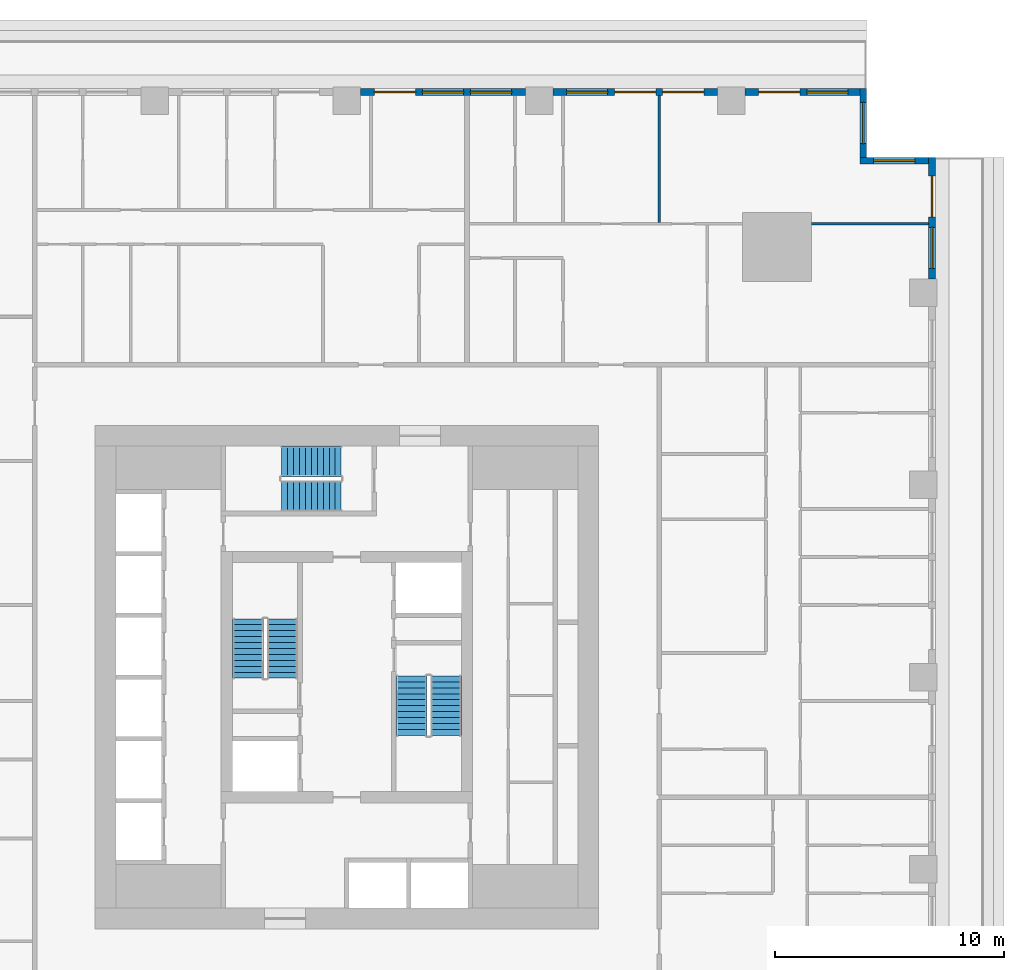
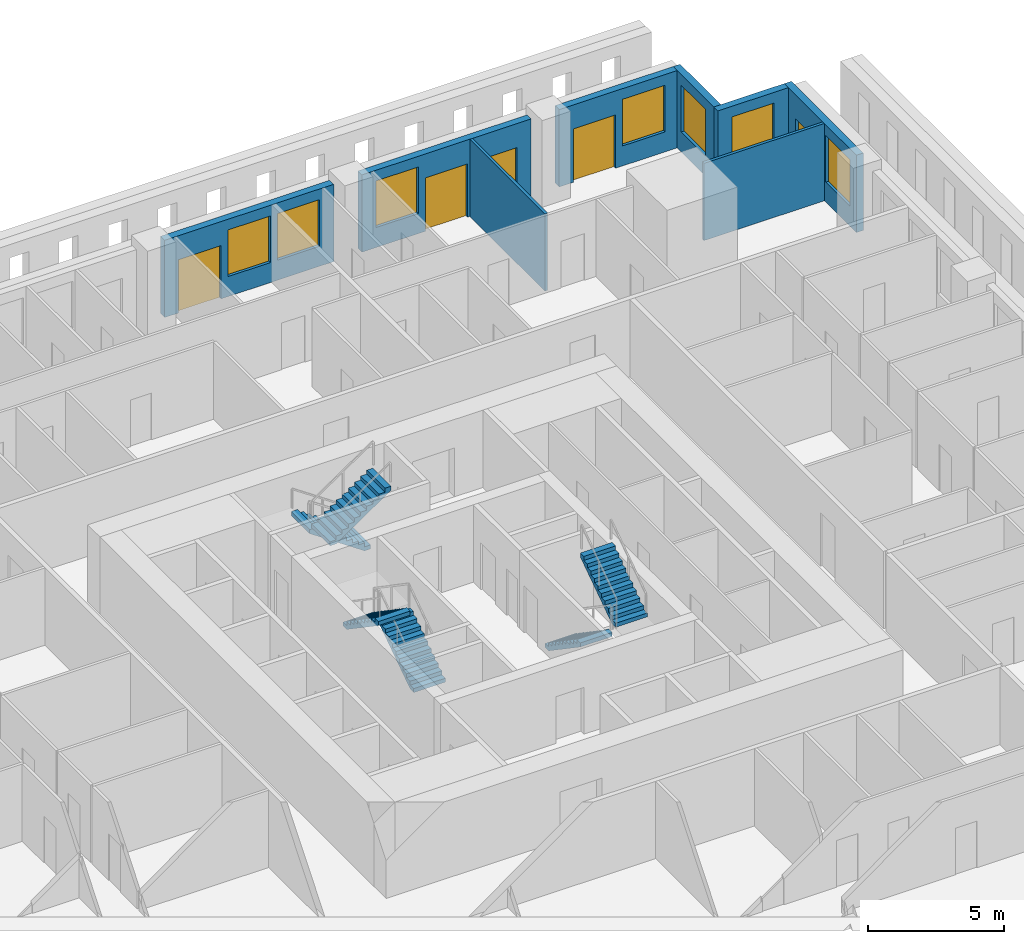
# One storey, part 10 of 15: 8 walls, 7 windows, 6 stair flights, 5 doors, 12 openings, 3 elements without a shape of their own.
"""IFC4 building model written with IfcOpenShell, lengths in metres."""

from ifc_helpers import new_model, si_unit, direction, frame, frame_2d, origin, place, context, subcontext, project, spatial, polyline, rectangle, outline, extrude, material, layer, layer_set, type_object, element, fill, aggregate, save


model = new_model("IFC4")

# Units and contexts
model_context = context("Model", 3, precision=1e-05, world=origin(), true_north=direction((0.0, 1.0)))
body_context = subcontext(model_context, "Body", "Model", "MODEL_VIEW")
ifc_project = project(units=[si_unit("LENGTHUNIT", "METRE"), si_unit("AREAUNIT", "SQUARE_METRE"), si_unit("VOLUMEUNIT", "CUBIC_METRE"), si_unit("PLANEANGLEUNIT", "RADIAN"), si_unit("MASSUNIT", "GRAM", prefix="KILO")], contexts=[model_context])

# Site, building, storey
site_placement = place(None, origin())
site = spatial("IfcSite", under=ifc_project, at=site_placement, CompositionType="ELEMENT")
building_placement = place(site_placement, origin())
building = spatial("IfcBuilding", under=site, at=building_placement, Name="Khepri Terraces", CompositionType="ELEMENT")
storey_placement = place(building_placement, frame((0.0, 0.0, 30.89990234375)))
storey = spatial("IfcBuildingStorey", under=building, at=storey_placement, Name="L06", CompositionType="ELEMENT", Elevation=30.89990234375)

# Wall, openings, door, window
ifc_material_1 = material(Name="Precast concrete C50/60 warm stone", Category="masonry")
ifc_layer_1 = layer(ifc_material_1, 0.300048828125, Name="Precast concrete C50/60 warm stone", Category="masonry")
ifc_layer_set_1 = layer_set([ifc_layer_1], Name="Precast concrete C50/60 warm stone")
wall_type_1 = type_object("IfcWallType", Name="WL-EXT-PRECAST-300", PredefinedType="STANDARD", material=ifc_layer_set_1)
wall_1_placement = place(storey_placement, frame((25.570068359375, 17.39990234375, 0.0), z_axis=(0.0, 0.0, 1.0), x_axis=(0.0, 1.0, 0.0)))
wall_1 = element("IfcWall", 1, at=wall_1_placement, inside=storey, type_object=wall_type_1, Name="External wall L06 E", PredefinedType="STANDARD", context=body_context, shape_type="SweptSolid", body=[
    extrude(rectangle(XDim=5.320068359375, YDim=0.300048828125, at=frame_2d((2.66015625, 0.0))), origin(), (0.0, 0.0, 1.0), 3.47998046875),
])
opening_1_placement = place(wall_1_placement, frame((2.699951171875, 0.0, 0.0)))
opening_1 = element("IfcOpeningElement", 2, at=opening_1_placement, cuts=wall_1, Name="Opening ED-L06-06", PredefinedType="OPENING", context=body_context, shape_type="SweptSolid", body=[
    extrude(rectangle(XDim=1.800048828125, YDim=2.39990234375, at=frame_2d((0.89990234375, 1.199951171875))), frame((0.0, 0.16015625, 0.0), z_axis=(0.0, -1.0, 0.0), x_axis=(1.0, 0.0, 0.0)), (0.0, 0.0, 1.0), 0.320068359375),
])
opening_2_placement = place(wall_1_placement, frame((0.4599609375, 0.0, 0.89990234375)))
opening_2 = element("IfcOpeningElement", 3, at=opening_2_placement, cuts=wall_1, Name="Opening W1", PredefinedType="OPENING", context=body_context, shape_type="SweptSolid", body=[
    extrude(rectangle(XDim=1.800048828125, YDim=2.10009765625, at=frame_2d((0.89990234375, 1.050048828125))), frame((0.0, 0.16015625, 0.0), z_axis=(0.0, -1.0, 0.0), x_axis=(1.0, 0.0, 0.0)), (0.0, 0.0, 1.0), 0.320068359375),
])
ifc_material_2 = material(Name="Anodised aluminium bronze glazed door", Category="aluminium")
door_type = type_object("IfcDoorType", Name="DR-BAL-SLIDE-1800x2400", OperationType="NOTDEFINED", PredefinedType="DOOR", material=ifc_material_2)
door_1_placement = place(opening_1_placement, origin())
door_1 = element("IfcDoor", 4, at=door_1_placement, inside=storey, type_object=door_type, Name="Balcony door L06 E", OperationType="SLIDING_TO_LEFT", OverallHeight=2.39990234375, OverallWidth=1.800048828125, PredefinedType="DOOR", context=body_context, shape_type="SweptSolid", body=[
    extrude(rectangle(XDim=1.800048828125, YDim=2.39990234375, at=frame_2d((0.89990234375, 1.199951171875))), frame((0.0, 0.02490234375, 0.0), z_axis=(0.0, -1.0, 0.0), x_axis=(1.0, 0.0, 0.0)), (0.0, 0.0, 1.0), 0.050048828125),
])
fill(opening_1, door_1)
ifc_material_3 = material(Name="Clear glass", Category="glass")
window_type = type_object("IfcWindowType", Name="WIN-RES-1800x2100", PartitioningType="SINGLE_PANEL", PredefinedType="WINDOW", material=ifc_material_3)
window_1_placement = place(opening_2_placement, origin())
window_1 = element("IfcWindow", 5, at=window_1_placement, inside=storey, type_object=window_type, Name="Window L06 E", OverallHeight=2.10009765625, OverallWidth=1.800048828125, PartitioningType="SINGLE_PANEL", PredefinedType="WINDOW", context=body_context, shape_type="SweptSolid", body=[
    extrude(rectangle(XDim=1.800048828125, YDim=2.10009765625, at=frame_2d((0.89990234375, 1.050048828125))), frame((0.0, 0.030029296875, 0.0), z_axis=(0.0, -1.0, 0.0), x_axis=(1.0, 0.0, 0.0)), (0.0, 0.0, 1.0), 0.06005859375),
])
fill(opening_2, window_1)

# Wall, opening, window
wall_2_placement = place(storey_placement, frame((25.419921875, 22.570068359375, 0.0), z_axis=(0.0, 0.0, 1.0), x_axis=(-1.0, 0.0, 0.0)))
wall_2 = element("IfcWall", 6, at=wall_2_placement, inside=storey, type_object=wall_type_1, Name="External wall L06 N", PredefinedType="STANDARD", context=body_context, shape_type="SweptSolid", body=[
    extrude(rectangle(XDim=3.0, YDim=0.300048828125, at=frame_2d((1.5, 0.0))), origin(), (0.0, 0.0, 1.0), 3.47998046875),
])
opening_3_placement = place(wall_2_placement, frame((0.60009765625, 0.0, 0.89990234375)))
opening_3 = element("IfcOpeningElement", 7, at=opening_3_placement, cuts=wall_2, Name="Opening W1", PredefinedType="OPENING", context=body_context, shape_type="SweptSolid", body=[
    extrude(rectangle(XDim=1.800048828125, YDim=2.10009765625, at=frame_2d((0.89990234375, 1.050048828125))), frame((0.0, 0.16015625, 0.0), z_axis=(0.0, -1.0, 0.0), x_axis=(1.0, 0.0, 0.0)), (0.0, 0.0, 1.0), 0.320068359375),
])
window_2_placement = place(opening_3_placement, origin())
window_2 = element("IfcWindow", 8, at=window_2_placement, inside=storey, type_object=window_type, Name="Window L06 N", OverallHeight=2.10009765625, OverallWidth=1.800048828125, PartitioningType="SINGLE_PANEL", PredefinedType="WINDOW", context=body_context, shape_type="SweptSolid", body=[
    extrude(rectangle(XDim=1.800048828125, YDim=2.10009765625, at=frame_2d((0.89990234375, 1.050048828125))), frame((0.0, 0.030029296875, 0.0), z_axis=(0.0, -1.0, 0.0), x_axis=(1.0, 0.0, 0.0)), (0.0, 0.0, 1.0), 0.06005859375),
])
fill(opening_3, window_2)

wall_3_placement = place(storey_placement, frame((22.570068359375, 22.719970703125, 0.0), z_axis=(0.0, 0.0, 1.0), x_axis=(0.0, 1.0, 0.0)))
wall_3 = element("IfcWall", 9, at=wall_3_placement, inside=storey, type_object=wall_type_1, Name="External wall L06 E", PredefinedType="STANDARD", context=body_context, shape_type="SweptSolid", body=[
    extrude(rectangle(XDim=3.0, YDim=0.300048828125, at=frame_2d((1.5, 0.0))), origin(), (0.0, 0.0, 1.0), 3.47998046875),
])
opening_4_placement = place(wall_3_placement, frame((0.60009765625, 0.0, 0.89990234375)))
opening_4 = element("IfcOpeningElement", 10, at=opening_4_placement, cuts=wall_3, Name="Opening W1", PredefinedType="OPENING", context=body_context, shape_type="SweptSolid", body=[
    extrude(rectangle(XDim=1.800048828125, YDim=2.10009765625, at=frame_2d((0.89990234375, 1.050048828125))), frame((0.0, 0.16015625, 0.0), z_axis=(0.0, -1.0, 0.0), x_axis=(1.0, 0.0, 0.0)), (0.0, 0.0, 1.0), 0.320068359375),
])
window_3_placement = place(opening_4_placement, origin())
window_3 = element("IfcWindow", 11, at=window_3_placement, inside=storey, type_object=window_type, Name="Window L06 E", OverallHeight=2.10009765625, OverallWidth=1.800048828125, PartitioningType="SINGLE_PANEL", PredefinedType="WINDOW", context=body_context, shape_type="SweptSolid", body=[
    extrude(rectangle(XDim=1.800048828125, YDim=2.10009765625, at=frame_2d((0.89990234375, 1.050048828125))), frame((0.0, 0.030029296875, 0.0), z_axis=(0.0, -1.0, 0.0), x_axis=(1.0, 0.0, 0.0)), (0.0, 0.0, 1.0), 0.06005859375),
])
fill(opening_4, window_3)

# Wall, openings, door, window
wall_4_placement = place(storey_placement, frame((22.419921875, 25.570068359375, 0.0), z_axis=(0.0, 0.0, 1.0), x_axis=(-1.0, 0.0, 0.0)))
wall_4 = element("IfcWall", 12, at=wall_4_placement, inside=storey, type_object=wall_type_1, Name="External wall L06 N", PredefinedType="STANDARD", context=body_context, shape_type="SweptSolid", body=[
    extrude(rectangle(XDim=5.02001953125, YDim=0.300048828125, at=frame_2d((2.510009765625, 0.0))), origin(), (0.0, 0.0, 1.0), 3.47998046875),
])
opening_5_placement = place(wall_4_placement, frame((0.52001953125, 0.0, 0.89990234375)))
opening_5 = element("IfcOpeningElement", 13, at=opening_5_placement, cuts=wall_4, Name="Opening W1", PredefinedType="OPENING", context=body_context, shape_type="SweptSolid", body=[
    extrude(rectangle(XDim=1.800048828125, YDim=2.10009765625, at=frame_2d((0.89990234375, 1.050048828125))), frame((0.0, 0.16015625, 0.0), z_axis=(0.0, -1.0, 0.0), x_axis=(1.0, 0.0, 0.0)), (0.0, 0.0, 1.0), 0.320068359375),
])
opening_6_placement = place(wall_4_placement, frame((2.6201171875, 0.0, 0.0)))
opening_6 = element("IfcOpeningElement", 14, at=opening_6_placement, cuts=wall_4, Name="Opening ED-L06-07", PredefinedType="OPENING", context=body_context, shape_type="SweptSolid", body=[
    extrude(rectangle(XDim=1.800048828125, YDim=2.39990234375, at=frame_2d((0.89990234375, 1.199951171875))), frame((0.0, 0.16015625, 0.0), z_axis=(0.0, -1.0, 0.0), x_axis=(1.0, 0.0, 0.0)), (0.0, 0.0, 1.0), 0.320068359375),
])
door_2_placement = place(opening_6_placement, origin())
door_2 = element("IfcDoor", 15, at=door_2_placement, inside=storey, type_object=door_type, Name="Balcony door L06 N", OperationType="SLIDING_TO_RIGHT", OverallHeight=2.39990234375, OverallWidth=1.800048828125, PredefinedType="DOOR", context=body_context, shape_type="SweptSolid", body=[
    extrude(rectangle(XDim=1.800048828125, YDim=2.39990234375, at=frame_2d((0.89990234375, 1.199951171875))), frame((0.0, 0.02490234375, 0.0), z_axis=(0.0, -1.0, 0.0), x_axis=(1.0, 0.0, 0.0)), (0.0, 0.0, 1.0), 0.050048828125),
])
fill(opening_6, door_2)
window_4_placement = place(opening_5_placement, origin())
window_4 = element("IfcWindow", 16, at=window_4_placement, inside=storey, type_object=window_type, Name="Window L06 N", OverallHeight=2.10009765625, OverallWidth=1.800048828125, PartitioningType="SINGLE_PANEL", PredefinedType="WINDOW", context=body_context, shape_type="SweptSolid", body=[
    extrude(rectangle(XDim=1.800048828125, YDim=2.10009765625, at=frame_2d((0.89990234375, 1.050048828125))), frame((0.0, 0.030029296875, 0.0), z_axis=(0.0, -1.0, 0.0), x_axis=(1.0, 0.0, 0.0)), (0.0, 0.0, 1.0), 0.06005859375),
])
fill(opening_5, window_4)

# Wall, openings, doors, window
wall_5_placement = place(storey_placement, frame((16.199951171875, 25.570068359375, 0.0), z_axis=(0.0, 0.0, 1.0), x_axis=(-1.0, 0.0, 0.0)))
wall_5 = element("IfcWall", 17, at=wall_5_placement, inside=storey, type_object=wall_type_1, Name="External wall L06 N", PredefinedType="STANDARD", context=body_context, shape_type="SweptSolid", body=[
    extrude(rectangle(XDim=7.199951171875, YDim=0.300048828125, at=frame_2d((3.60009765625, 0.0))), origin(), (0.0, 0.0, 1.0), 3.47998046875),
])
opening_7_placement = place(wall_5_placement, frame((0.60009765625, 0.0, 0.0)))
opening_7 = element("IfcOpeningElement", 18, at=opening_7_placement, cuts=wall_5, Name="Opening ED-L06-08", PredefinedType="OPENING", context=body_context, shape_type="SweptSolid", body=[
    extrude(rectangle(XDim=1.800048828125, YDim=2.39990234375, at=frame_2d((0.89990234375, 1.199951171875))), frame((0.0, 0.16015625, 0.0), z_axis=(0.0, -1.0, 0.0), x_axis=(1.0, 0.0, 0.0)), (0.0, 0.0, 1.0), 0.320068359375),
])
opening_8_placement = place(wall_5_placement, frame((2.699951171875, 0.0, 0.0)))
opening_8 = element("IfcOpeningElement", 19, at=opening_8_placement, cuts=wall_5, Name="Opening ED-L06-09", PredefinedType="OPENING", context=body_context, shape_type="SweptSolid", body=[
    extrude(rectangle(XDim=1.800048828125, YDim=2.39990234375, at=frame_2d((0.89990234375, 1.199951171875))), frame((0.0, 0.16015625, 0.0), z_axis=(0.0, -1.0, 0.0), x_axis=(1.0, 0.0, 0.0)), (0.0, 0.0, 1.0), 0.320068359375),
])
opening_9_placement = place(wall_5_placement, frame((4.800048828125, 0.0, 0.89990234375)))
opening_9 = element("IfcOpeningElement", 20, at=opening_9_placement, cuts=wall_5, Name="Opening W1", PredefinedType="OPENING", context=body_context, shape_type="SweptSolid", body=[
    extrude(rectangle(XDim=1.800048828125, YDim=2.10009765625, at=frame_2d((0.89990234375, 1.050048828125))), frame((0.0, 0.16015625, 0.0), z_axis=(0.0, -1.0, 0.0), x_axis=(1.0, 0.0, 0.0)), (0.0, 0.0, 1.0), 0.320068359375),
])
door_3_placement = place(opening_7_placement, origin())
door_3 = element("IfcDoor", 21, at=door_3_placement, inside=storey, type_object=door_type, Name="Balcony door L06 N", OperationType="SLIDING_TO_LEFT", OverallHeight=2.39990234375, OverallWidth=1.800048828125, PredefinedType="DOOR", context=body_context, shape_type="SweptSolid", body=[
    extrude(rectangle(XDim=1.800048828125, YDim=2.39990234375, at=frame_2d((0.89990234375, 1.199951171875))), frame((0.0, 0.02490234375, 0.0), z_axis=(0.0, -1.0, 0.0), x_axis=(1.0, 0.0, 0.0)), (0.0, 0.0, 1.0), 0.050048828125),
])
fill(opening_7, door_3)
door_4_placement = place(opening_8_placement, origin())
door_4 = element("IfcDoor", 22, at=door_4_placement, inside=storey, type_object=door_type, Name="Balcony door L06 N", OperationType="SLIDING_TO_RIGHT", OverallHeight=2.39990234375, OverallWidth=1.800048828125, PredefinedType="DOOR", context=body_context, shape_type="SweptSolid", body=[
    extrude(rectangle(XDim=1.800048828125, YDim=2.39990234375, at=frame_2d((0.89990234375, 1.199951171875))), frame((0.0, 0.02490234375, 0.0), z_axis=(0.0, -1.0, 0.0), x_axis=(1.0, 0.0, 0.0)), (0.0, 0.0, 1.0), 0.050048828125),
])
fill(opening_8, door_4)
window_5_placement = place(opening_9_placement, origin())
window_5 = element("IfcWindow", 23, at=window_5_placement, inside=storey, type_object=window_type, Name="Window L06 N", OverallHeight=2.10009765625, OverallWidth=1.800048828125, PartitioningType="SINGLE_PANEL", PredefinedType="WINDOW", context=body_context, shape_type="SweptSolid", body=[
    extrude(rectangle(XDim=1.800048828125, YDim=2.10009765625, at=frame_2d((0.89990234375, 1.050048828125))), frame((0.0, 0.030029296875, 0.0), z_axis=(0.0, -1.0, 0.0), x_axis=(1.0, 0.0, 0.0)), (0.0, 0.0, 1.0), 0.06005859375),
])
fill(opening_9, window_5)

# Wall, openings, door, windows
wall_6_placement = place(storey_placement, frame((7.800048828125, 25.570068359375, 0.0), z_axis=(0.0, 0.0, 1.0), x_axis=(-1.0, 0.0, 0.0)))
wall_6 = element("IfcWall", 24, at=wall_6_placement, inside=storey, type_object=wall_type_1, Name="External wall L06 N", PredefinedType="STANDARD", context=body_context, shape_type="SweptSolid", body=[
    extrude(rectangle(XDim=7.199951171875, YDim=0.300048828125, at=frame_2d((3.60009765625, 0.0))), origin(), (0.0, 0.0, 1.0), 3.47998046875),
])
opening_10_placement = place(wall_6_placement, frame((0.60009765625, 0.0, 0.89990234375)))
opening_10 = element("IfcOpeningElement", 25, at=opening_10_placement, cuts=wall_6, Name="Opening W1", PredefinedType="OPENING", context=body_context, shape_type="SweptSolid", body=[
    extrude(rectangle(XDim=1.800048828125, YDim=2.10009765625, at=frame_2d((0.89990234375, 1.050048828125))), frame((0.0, 0.16015625, 0.0), z_axis=(0.0, -1.0, 0.0), x_axis=(1.0, 0.0, 0.0)), (0.0, 0.0, 1.0), 0.320068359375),
])
opening_11_placement = place(wall_6_placement, frame((2.699951171875, 0.0, 0.89990234375)))
opening_11 = element("IfcOpeningElement", 26, at=opening_11_placement, cuts=wall_6, Name="Opening W1", PredefinedType="OPENING", context=body_context, shape_type="SweptSolid", body=[
    extrude(rectangle(XDim=1.800048828125, YDim=2.10009765625, at=frame_2d((0.89990234375, 1.050048828125))), frame((0.0, 0.16015625, 0.0), z_axis=(0.0, -1.0, 0.0), x_axis=(1.0, 0.0, 0.0)), (0.0, 0.0, 1.0), 0.320068359375),
])
opening_12_placement = place(wall_6_placement, frame((4.800048828125, 0.0, 0.0)))
opening_12 = element("IfcOpeningElement", 27, at=opening_12_placement, cuts=wall_6, Name="Opening ED-L06-10", PredefinedType="OPENING", context=body_context, shape_type="SweptSolid", body=[
    extrude(rectangle(XDim=1.800048828125, YDim=2.39990234375, at=frame_2d((0.89990234375, 1.199951171875))), frame((0.0, 0.16015625, 0.0), z_axis=(0.0, -1.0, 0.0), x_axis=(1.0, 0.0, 0.0)), (0.0, 0.0, 1.0), 0.320068359375),
])
door_5_placement = place(opening_12_placement, origin())
door_5 = element("IfcDoor", 28, at=door_5_placement, inside=storey, type_object=door_type, Name="Balcony door L06 N", OperationType="SLIDING_TO_RIGHT", OverallHeight=2.39990234375, OverallWidth=1.800048828125, PredefinedType="DOOR", context=body_context, shape_type="SweptSolid", body=[
    extrude(rectangle(XDim=1.800048828125, YDim=2.39990234375, at=frame_2d((0.89990234375, 1.199951171875))), frame((0.0, 0.02490234375, 0.0), z_axis=(0.0, -1.0, 0.0), x_axis=(1.0, 0.0, 0.0)), (0.0, 0.0, 1.0), 0.050048828125),
])
fill(opening_12, door_5)
window_6_placement = place(opening_10_placement, origin())
window_6 = element("IfcWindow", 29, at=window_6_placement, inside=storey, type_object=window_type, Name="Window L06 N", OverallHeight=2.10009765625, OverallWidth=1.800048828125, PartitioningType="SINGLE_PANEL", PredefinedType="WINDOW", context=body_context, shape_type="SweptSolid", body=[
    extrude(rectangle(XDim=1.800048828125, YDim=2.10009765625, at=frame_2d((0.89990234375, 1.050048828125))), frame((0.0, 0.030029296875, 0.0), z_axis=(0.0, -1.0, 0.0), x_axis=(1.0, 0.0, 0.0)), (0.0, 0.0, 1.0), 0.06005859375),
])
fill(opening_10, window_6)
window_7_placement = place(opening_11_placement, origin())
window_7 = element("IfcWindow", 30, at=window_7_placement, inside=storey, type_object=window_type, Name="Window L06 N", OverallHeight=2.10009765625, OverallWidth=1.800048828125, PartitioningType="SINGLE_PANEL", PredefinedType="WINDOW", context=body_context, shape_type="SweptSolid", body=[
    extrude(rectangle(XDim=1.800048828125, YDim=2.10009765625, at=frame_2d((0.89990234375, 1.050048828125))), frame((0.0, 0.030029296875, 0.0), z_axis=(0.0, -1.0, 0.0), x_axis=(1.0, 0.0, 0.0)), (0.0, 0.0, 1.0), 0.06005859375),
])
fill(opening_11, window_7)

# Walls
ifc_material_4 = material(Name="Gypsum plasterboard partition")
ifc_layer_2 = layer(ifc_material_4, 0.1201171875, Name="Gypsum plasterboard partition")
ifc_layer_set_2 = layer_set([ifc_layer_2], Name="Gypsum plasterboard partition")
wall_type_2 = type_object("IfcWallType", Name="WL-PART-120", PredefinedType="PARTITIONING", material=ifc_layer_set_2)
wall_7_placement = place(storey_placement, frame((20.300048828125, 19.820068359375, 0.0), z_axis=(0.0, 0.0, 1.0), x_axis=(1.0, 0.0, 0.0)))
element("IfcWall", 31, at=wall_7_placement, inside=storey, type_object=wall_type_2, Name="Partition P-102 L06", PredefinedType="PARTITIONING", context=body_context, shape_type="SweptSolid", body=[
    extrude(rectangle(XDim=5.119873046875, YDim=0.1201171875, at=frame_2d((2.56005859375, 0.0))), origin(), (0.0, 0.0, 1.0), 3.47998046875),
])
wall_8_placement = place(storey_placement, frame((13.64990234375, 19.8798828125, 0.0), z_axis=(0.0, 0.0, 1.0), x_axis=(0.0, 1.0, 0.0)))
element("IfcWall", 32, at=wall_8_placement, inside=storey, type_object=wall_type_2, Name="Partition P-105 L06", PredefinedType="PARTITIONING", context=body_context, shape_type="SweptSolid", body=[
    extrude(rectangle(XDim=5.5400390625, YDim=0.1201171875, at=frame_2d((2.77001953125, 0.0))), origin(), (0.0, 0.0, 1.0), 3.47998046875),
])

# Stair, stair flights
ifc_material_5 = material(Name="Concrete C40/50", Category="concrete")
stair_type = type_object("IfcStairType", Name="STAIR-RC-22R", PredefinedType="HALF_TURN_STAIR", material=ifc_material_5)
stair_1_placement = place(storey_placement, origin())
stair_1 = element("IfcStair", 33, at=stair_1_placement, inside=storey, type_object=stair_type, Name="L06 Exit Stair ST-1", PredefinedType="HALF_TURN_STAIR")
stair_flight_type = type_object("IfcStairFlightType", Name="SFL-RC-177.3", PredefinedType="STRAIGHT", material=ifc_material_5)
stair_flight_1_placement = place(storey_placement, frame((-2.824951171875, -0.050048828125, 0.0), z_axis=(0.0, 0.0, 1.0), x_axis=(0.0, 1.0, 0.0)))
stair_flight_1 = element("IfcStairFlight", 34, at=stair_flight_1_placement, type_object=stair_flight_type, Name="ST-1 flight 1", NumberOfRisers=11, NumberOfTreads=10, PredefinedType="STRAIGHT", RiserHeight=0.177272727, TreadLength=0.26, context=body_context, shape_type="SweptSolid", body=[
    extrude(outline(polyline([(0.0, 0.0), (0.0, 0.17724609375), (0.260009765625, 0.17724609375), (0.260009765625, 0.3544921875), (0.52001953125, 0.3544921875), (0.52001953125, 0.53173828125), (0.780029296875, 0.53173828125), (0.780029296875, 0.708984375), (1.0400390625, 0.708984375), (1.0400390625, 0.886474609375), (1.300048828125, 0.886474609375), (1.300048828125, 1.063720703125), (1.56005859375, 1.063720703125), (1.56005859375, 1.240966796875), (1.820068359375, 1.240966796875), (1.820068359375, 1.418212890625), (2.080078125, 1.418212890625), (2.080078125, 1.595458984375), (2.340087890625, 1.595458984375), (2.340087890625, 1.772705078125), (2.60009765625, 1.772705078125), (2.60009765625, 1.949951171875), (2.60009765625, 1.59130859375), (0.26611328125, 0.0), (0.0, 0.0)])), frame((0.0, 0.675048828125, 0.0), z_axis=(0.0, -1.0, 0.0), x_axis=(1.0, 0.0, 0.0)), (0.0, 0.0, 1.0), 1.35009765625),
])
stair_flight_2_placement = place(storey_placement, frame((-4.324951171875, 2.550048828125, 1.9501953125), z_axis=(0.0, 0.0, 1.0), x_axis=(0.0, -1.0, 0.0)))
stair_flight_2 = element("IfcStairFlight", 35, at=stair_flight_2_placement, type_object=stair_flight_type, Name="ST-1 flight 2", NumberOfRisers=11, NumberOfTreads=10, PredefinedType="STRAIGHT", RiserHeight=0.177272727, TreadLength=0.26, context=body_context, shape_type="SweptSolid", body=[
    extrude(outline(polyline([(0.0, 0.0), (0.0, 0.17724609375), (0.260009765625, 0.17724609375), (0.260009765625, 0.3544921875), (0.52001953125, 0.3544921875), (0.52001953125, 0.53173828125), (0.780029296875, 0.53173828125), (0.780029296875, 0.708984375), (1.0400390625, 0.708984375), (1.0400390625, 0.886474609375), (1.300048828125, 0.886474609375), (1.300048828125, 1.063720703125), (1.56005859375, 1.063720703125), (1.56005859375, 1.240966796875), (1.820068359375, 1.240966796875), (1.820068359375, 1.418212890625), (2.080078125, 1.418212890625), (2.080078125, 1.595458984375), (2.340087890625, 1.595458984375), (2.340087890625, 1.772705078125), (2.60009765625, 1.772705078125), (2.60009765625, 1.949951171875), (2.60009765625, 1.59130859375), (0.26611328125, 0.0), (0.0, 0.0)])), frame((0.0, 0.675048828125, 0.0), z_axis=(0.0, -1.0, 0.0), x_axis=(1.0, 0.0, 0.0)), (0.0, 0.0, 1.0), 1.35009765625),
])
aggregate(stair_1, [stair_flight_1, stair_flight_2])

stair_2_placement = place(storey_placement, origin())
stair_2 = element("IfcStair", 36, at=stair_2_placement, inside=storey, type_object=stair_type, Name="L06 Exit Stair ST-2", PredefinedType="HALF_TURN_STAIR")
stair_flight_3_placement = place(storey_placement, frame((2.824951171875, 0.050048828125, 0.0), z_axis=(0.0, 0.0, 1.0), x_axis=(0.0, -1.0, 0.0)))
stair_flight_3 = element("IfcStairFlight", 37, at=stair_flight_3_placement, type_object=stair_flight_type, Name="ST-2 flight 1", NumberOfRisers=11, NumberOfTreads=10, PredefinedType="STRAIGHT", RiserHeight=0.177272727, TreadLength=0.26, context=body_context, shape_type="SweptSolid", body=[
    extrude(outline(polyline([(0.0, 0.0), (0.0, 0.17724609375), (0.260009765625, 0.17724609375), (0.260009765625, 0.3544921875), (0.52001953125, 0.3544921875), (0.52001953125, 0.53173828125), (0.780029296875, 0.53173828125), (0.780029296875, 0.708984375), (1.0400390625, 0.708984375), (1.0400390625, 0.886474609375), (1.300048828125, 0.886474609375), (1.300048828125, 1.063720703125), (1.56005859375, 1.063720703125), (1.56005859375, 1.240966796875), (1.820068359375, 1.240966796875), (1.820068359375, 1.418212890625), (2.080078125, 1.418212890625), (2.080078125, 1.595458984375), (2.340087890625, 1.595458984375), (2.340087890625, 1.772705078125), (2.60009765625, 1.772705078125), (2.60009765625, 1.949951171875), (2.60009765625, 1.59130859375), (0.26611328125, 0.0), (0.0, 0.0)])), frame((0.0, 0.675048828125, 0.0), z_axis=(0.0, -1.0, 0.0), x_axis=(1.0, 0.0, 0.0)), (0.0, 0.0, 1.0), 1.35009765625),
])
stair_flight_4_placement = place(storey_placement, frame((4.324951171875, -2.550048828125, 1.9501953125), z_axis=(0.0, 0.0, 1.0), x_axis=(0.0, 1.0, 0.0)))
stair_flight_4 = element("IfcStairFlight", 38, at=stair_flight_4_placement, type_object=stair_flight_type, Name="ST-2 flight 2", NumberOfRisers=11, NumberOfTreads=10, PredefinedType="STRAIGHT", RiserHeight=0.177272727, TreadLength=0.26, context=body_context, shape_type="SweptSolid", body=[
    extrude(outline(polyline([(0.0, 0.0), (0.0, 0.17724609375), (0.260009765625, 0.17724609375), (0.260009765625, 0.3544921875), (0.52001953125, 0.3544921875), (0.52001953125, 0.53173828125), (0.780029296875, 0.53173828125), (0.780029296875, 0.708984375), (1.0400390625, 0.708984375), (1.0400390625, 0.886474609375), (1.300048828125, 0.886474609375), (1.300048828125, 1.063720703125), (1.56005859375, 1.063720703125), (1.56005859375, 1.240966796875), (1.820068359375, 1.240966796875), (1.820068359375, 1.418212890625), (2.080078125, 1.418212890625), (2.080078125, 1.595458984375), (2.340087890625, 1.595458984375), (2.340087890625, 1.772705078125), (2.60009765625, 1.772705078125), (2.60009765625, 1.949951171875), (2.60009765625, 1.59130859375), (0.26611328125, 0.0), (0.0, 0.0)])), frame((0.0, 0.675048828125, 0.0), z_axis=(0.0, -1.0, 0.0), x_axis=(1.0, 0.0, 0.0)), (0.0, 0.0, 1.0), 1.35009765625),
])
aggregate(stair_2, [stair_flight_3, stair_flight_4])

stair_3_placement = place(storey_placement, origin())
stair_3 = element("IfcStair", 39, at=stair_3_placement, inside=storey, type_object=stair_type, Name="L06 Exit Stair ST-3", PredefinedType="HALF_TURN_STAIR")
stair_flight_5_placement = place(storey_placement, frame((-0.25, 9.425048828125, 0.0), z_axis=(0.0, 0.0, 1.0), x_axis=(-1.0, 0.0, 0.0)))
stair_flight_5 = element("IfcStairFlight", 40, at=stair_flight_5_placement, type_object=stair_flight_type, Name="ST-3 flight 1", NumberOfRisers=11, NumberOfTreads=10, PredefinedType="STRAIGHT", RiserHeight=0.177272727, TreadLength=0.26, context=body_context, shape_type="SweptSolid", body=[
    extrude(outline(polyline([(0.0, 0.0), (0.0, 0.17724609375), (0.260009765625, 0.17724609375), (0.260009765625, 0.3544921875), (0.52001953125, 0.3544921875), (0.52001953125, 0.53173828125), (0.780029296875, 0.53173828125), (0.780029296875, 0.708984375), (1.0400390625, 0.708984375), (1.0400390625, 0.886474609375), (1.300048828125, 0.886474609375), (1.300048828125, 1.063720703125), (1.56005859375, 1.063720703125), (1.56005859375, 1.240966796875), (1.820068359375, 1.240966796875), (1.820068359375, 1.418212890625), (2.080078125, 1.418212890625), (2.080078125, 1.595458984375), (2.340087890625, 1.595458984375), (2.340087890625, 1.772705078125), (2.60009765625, 1.772705078125), (2.60009765625, 1.949951171875), (2.60009765625, 1.59130859375), (0.26611328125, 0.0), (0.0, 0.0)])), frame((0.0, 0.675048828125, 0.0), z_axis=(0.0, -1.0, 0.0), x_axis=(1.0, 0.0, 0.0)), (0.0, 0.0, 1.0), 1.35009765625),
])
stair_flight_6_placement = place(storey_placement, frame((-2.85009765625, 7.925048828125, 1.9501953125), z_axis=(0.0, 0.0, 1.0), x_axis=(1.0, 0.0, 0.0)))
stair_flight_6 = element("IfcStairFlight", 41, at=stair_flight_6_placement, type_object=stair_flight_type, Name="ST-3 flight 2", NumberOfRisers=11, NumberOfTreads=10, PredefinedType="STRAIGHT", RiserHeight=0.177272727, TreadLength=0.26, context=body_context, shape_type="SweptSolid", body=[
    extrude(outline(polyline([(0.0, 0.0), (0.0, 0.17724609375), (0.260009765625, 0.17724609375), (0.260009765625, 0.3544921875), (0.52001953125, 0.3544921875), (0.52001953125, 0.53173828125), (0.780029296875, 0.53173828125), (0.780029296875, 0.708984375), (1.0400390625, 0.708984375), (1.0400390625, 0.886474609375), (1.300048828125, 0.886474609375), (1.300048828125, 1.063720703125), (1.56005859375, 1.063720703125), (1.56005859375, 1.240966796875), (1.820068359375, 1.240966796875), (1.820068359375, 1.418212890625), (2.080078125, 1.418212890625), (2.080078125, 1.595458984375), (2.340087890625, 1.595458984375), (2.340087890625, 1.772705078125), (2.60009765625, 1.772705078125), (2.60009765625, 1.949951171875), (2.60009765625, 1.59130859375), (0.26611328125, 0.0), (0.0, 0.0)])), frame((0.0, 0.675048828125, 0.0), z_axis=(0.0, -1.0, 0.0), x_axis=(1.0, 0.0, 0.0)), (0.0, 0.0, 1.0), 1.35009765625),
])
aggregate(stair_3, [stair_flight_5, stair_flight_6])

save(model, "model.ifc")
